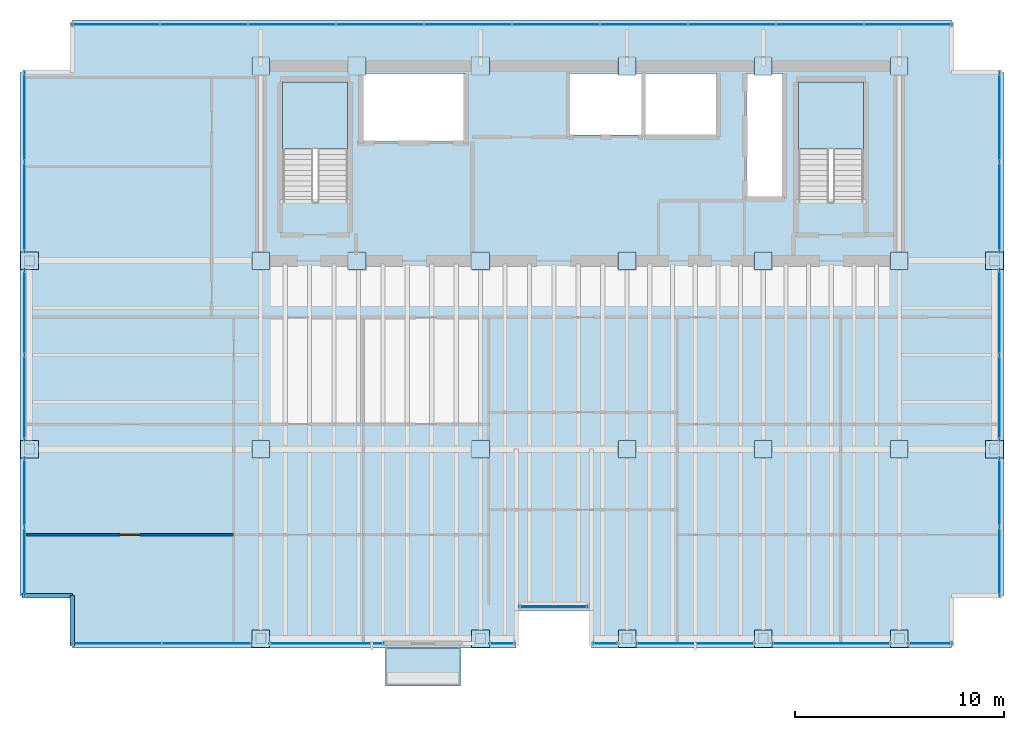
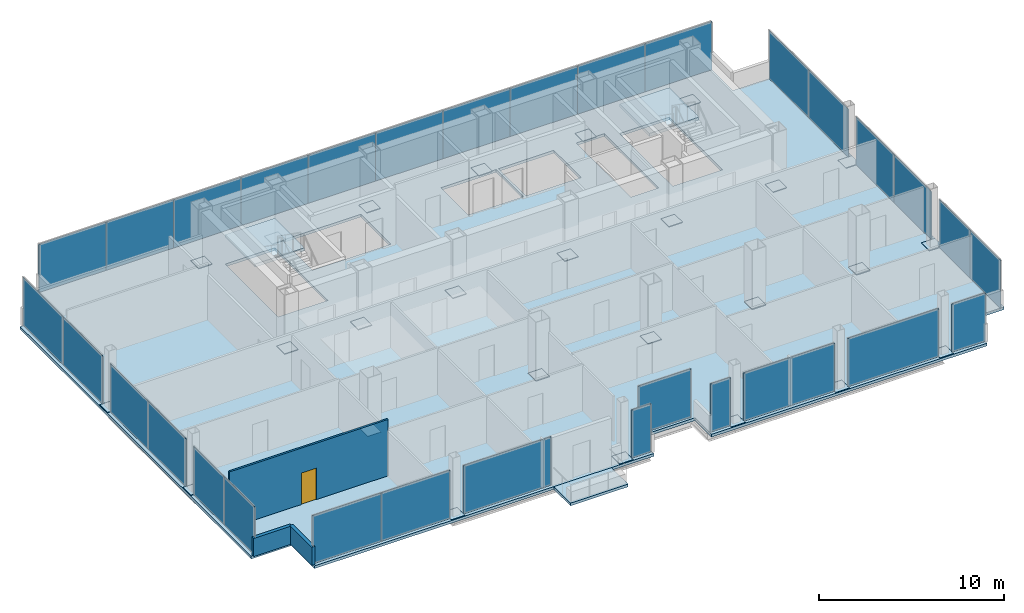
# One storey, part 18 of 22: 57 plates, 4 slabs, 3 walls, 1 door, 7 openings, 17 elements without a shape of their own.
"""IFC4 building model written with IfcOpenShell, lengths in metres."""

import ifcopenshell
import ifcopenshell.guid

model = None  # the IFC model being written
_history = None  # IfcOwnerHistory: only IFC2X3 demands one
_inside = {}  # id of a spatial element -> (the spatial element, [elements in it])
_under = {}  # id of a project, library or spatial element -> (it, [spatial elements below it])
_declared = {}  # id of a project -> (the project, [libraries it declares])
_typed = {}  # id of a type object -> (the type object, [elements of that type])
_made_of = {}  # id of a material, layer set ... -> (it, [elements and type objects made of it])


def new_model(schema):
    """Start an empty IFC model of exactly this schema.

    Asked for "IFC4X3", IfcOpenShell would pick the latest addendum, in which some entities
    have other attributes; the version numbers below select the first issue.
    IFC2X3 requires an IfcOwnerHistory on every rooted entity: one is made here for all.
    """
    global model, _history
    if schema == "IFC4X3":
        model = ifcopenshell.file(schema_version=(4, 3, 0, 0))
    else:
        model = ifcopenshell.file(schema=schema)
    _inside.clear()
    _under.clear()
    _declared.clear()
    _typed.clear()
    _made_of.clear()
    _history = None
    if model.schema == "IFC2X3":
        org = make("IfcOrganization", Name="unknown")
        user = make(
            "IfcPersonAndOrganization",
            ThePerson=make("IfcPerson", FamilyName="unknown"),
            TheOrganization=org,
        )
        app = make(
            "IfcApplication",
            ApplicationDeveloper=org,
            Version="unknown",
            ApplicationFullName="unknown",
            ApplicationIdentifier="unknown",
        )
        _history = make(
            "IfcOwnerHistory",
            OwningUser=user,
            OwningApplication=app,
            ChangeAction="ADDED",
            CreationDate=0,
        )
    return model


def make(cls, **values):
    """One entity of the class cls with the attributes given. An attribute that is None is left unset."""
    return model.create_entity(
        cls, **{name: value for name, value in values.items() if value is not None}
    )


def rooted(cls, **values):
    """An entity with a GlobalId (a new one), such as an element, a storey or a relation."""
    return make(cls, GlobalId=ifcopenshell.guid.new(), OwnerHistory=_history, **values)


def si_unit(unit_type, name, prefix=None):
    """IfcSIUnit, for example si_unit("LENGTHUNIT", "METRE", prefix="MILLI")."""
    return make("IfcSIUnit", UnitType=unit_type, Prefix=prefix, Name=name)


def assignment(units):
    """IfcUnitAssignment: the units of a project."""
    return None if units is None else make("IfcUnitAssignment", Units=units)


def point(xyz):
    """IfcCartesianPoint."""
    return None if xyz is None else make("IfcCartesianPoint", Coordinates=xyz)


def direction(xyz):
    """IfcDirection."""
    return None if xyz is None else make("IfcDirection", DirectionRatios=xyz)


def frame(location, z_axis=None, x_axis=None):
    """IfcAxis2Placement3D, a coordinate frame: its origin and axes. An axis left out is left unset."""
    return make(
        "IfcAxis2Placement3D",
        Location=point(location),
        Axis=direction(z_axis),
        RefDirection=direction(x_axis),
    )


def frame_2d(location, x_axis=None):
    """IfcAxis2Placement2D, a coordinate frame in the plane: its origin and x axis."""
    return make(
        "IfcAxis2Placement2D", Location=point(location), RefDirection=direction(x_axis)
    )


def origin():
    """The frame at (0, 0, 0) with its axes left unset."""
    return frame((0.0, 0.0, 0.0))


def origin_2d():
    """The frame at (0, 0) in the plane with its x axis left unset."""
    return frame_2d((0.0, 0.0))


def place(relative_to, where):
    """IfcLocalPlacement: puts the frame where relative to a parent placement (None: the world)."""
    return make(
        "IfcLocalPlacement", PlacementRelTo=relative_to, RelativePlacement=where
    )


def context(
    kind, dimensions, precision=None, world=None, true_north=None, identifier=None
):
    """IfcGeometricRepresentationContext, for example the 3D "Model" context."""
    return make(
        "IfcGeometricRepresentationContext",
        ContextIdentifier=identifier,
        ContextType=kind,
        CoordinateSpaceDimension=dimensions,
        Precision=precision,
        WorldCoordinateSystem=world,
        TrueNorth=true_north,
    )


def subcontext(parent, identifier, kind, view, scale=None):
    """IfcGeometricRepresentationSubContext, for example "Body" below "Model"."""
    return make(
        "IfcGeometricRepresentationSubContext",
        ContextIdentifier=identifier,
        ContextType=kind,
        ParentContext=parent,
        TargetScale=scale,
        TargetView=view,
    )


def project(units=None, contexts=None):
    """IfcProject with its units and contexts."""
    return rooted(
        "IfcProject",
        Name="project",
        RepresentationContexts=contexts,
        UnitsInContext=assignment(units),
    )


def spatial(cls, under=None, at=None, **own):
    """A site, building, storey or space (cls), placed at a placement, below another one or the project."""
    s = rooted(cls, ObjectPlacement=at, **own)
    if under is not None:
        _under.setdefault(under.id(), (under, []))[1].append(s)
    return s


def polyline(points):
    """IfcPolyline through the points."""
    return make("IfcPolyline", Points=[point(p) for p in points])


def profile(cls, at=None, kind="AREA", **sizes):
    """A parametric profile (cls). Its sizes go by their IFC names, for example OverallWidth=200.0."""
    return make(cls, ProfileType=kind, Position=at, **sizes)


def rectangle(**sizes):
    """IfcRectangleProfileDef."""
    return profile("IfcRectangleProfileDef", **sizes)


def outline(outer, holes=None, kind="AREA"):
    """IfcArbitraryClosedProfileDef: a profile drawn as a closed curve; with holes, ...WithVoids."""
    if holes is None:
        return make("IfcArbitraryClosedProfileDef", ProfileType=kind, OuterCurve=outer)
    return make(
        "IfcArbitraryProfileDefWithVoids",
        ProfileType=kind,
        OuterCurve=outer,
        InnerCurves=holes,
    )


def extrude(swept, where, along, depth):
    """IfcExtrudedAreaSolid: the profile swept, set in the frame where, extruded along a direction by depth."""
    return make(
        "IfcExtrudedAreaSolid",
        SweptArea=swept,
        Position=where,
        ExtrudedDirection=direction(along),
        Depth=depth,
    )


def shape(context_of_items, identifier, shape_type, items):
    """IfcShapeRepresentation: the items that make up one representation, for example the "Body"."""
    return make(
        "IfcShapeRepresentation",
        ContextOfItems=context_of_items,
        RepresentationIdentifier=identifier,
        RepresentationType=shape_type,
        Items=items,
    )


def material(Name=None, Category=None):
    """IfcMaterial."""
    return make("IfcMaterial", Name=Name, Category=Category)


def layer(
    of_material, thickness, ventilated=None, Name=None, Category=None, Priority=None
):
    """IfcMaterialLayer: one layer of a wall or slab, of a material (None: an air gap)."""
    return make(
        "IfcMaterialLayer",
        Material=of_material,
        LayerThickness=thickness,
        IsVentilated=ventilated,
        Name=Name,
        Category=Category,
        Priority=Priority,
    )


def layer_set(layers, Name=None):
    """IfcMaterialLayerSet."""
    return make("IfcMaterialLayerSet", MaterialLayers=layers, LayerSetName=Name)


def made_of(thing, what):
    """Note that an element or type object is made of a material, layer set ...; save() writes the relation."""
    if what is not None:
        _made_of.setdefault(what.id(), (what, []))[1].append(thing)
    return thing


def type_object(cls, material=None, **own):
    """A type object (cls), such as IfcWallType, which elements share."""
    return made_of(rooted(cls, **own), material)


def element(
    cls,
    number,
    at=None,
    inside=None,
    cuts=None,
    type_object=None,
    material=None,
    context=None,
    identifier="Body",
    shape_type=None,
    held_by="IfcProductDefinitionShape",
    body=None,
    shapes=None,
    **own,
):
    """One element of the class cls, such as IfcWall. Its Tag is "e" and its number.

    at: its placement. inside: the storey or other place that contains it. cuts: it is an
    opening in that element (IfcRelVoidsElement). A single representation is given by context,
    identifier, shape_type and body (its items); several are given by shapes. held_by: the class
    of the entity that holds the representations. save() writes the other relations.
    """
    e = rooted(cls, Tag="e%d" % number, ObjectPlacement=at, **own)
    if body is not None:
        shapes = [shape(context, identifier, shape_type, body)]
    if shapes is not None:
        e.Representation = make(held_by, Representations=shapes)
    if inside is not None:
        _inside.setdefault(inside.id(), (inside, []))[1].append(e)
    if cuts is not None:
        rooted(
            "IfcRelVoidsElement", RelatingBuildingElement=cuts, RelatedOpeningElement=e
        )
    if type_object is not None:
        _typed.setdefault(type_object.id(), (type_object, []))[1].append(e)
    return made_of(e, material)


def fill(opening, filler):
    """IfcRelFillsElement: the door or window that sits in an opening."""
    return rooted(
        "IfcRelFillsElement",
        RelatingOpeningElement=opening,
        RelatedBuildingElement=filler,
    )


def aggregate(whole, parts):
    """IfcRelAggregates: a whole, such as a stair, and the parts it consists of."""
    return rooted("IfcRelAggregates", RelatingObject=whole, RelatedObjects=parts)


def save(model, path):
    """Write the relations noted so far, then the file.

    IfcRelAggregates (storeys below a building ...), IfcRelContainedInSpatialStructure (elements
    in a storey), IfcRelDefinesByType, IfcRelAssociatesMaterial and IfcRelDeclares: one each for
    every whole, place, type object, material and project.
    """
    for whole, parts in _under.values():
        aggregate(whole, parts)
    for where, things in _inside.values():
        rooted(
            "IfcRelContainedInSpatialStructure",
            RelatedElements=things,
            RelatingStructure=where,
        )
    for kind, things in _typed.values():
        rooted("IfcRelDefinesByType", RelatedObjects=things, RelatingType=kind)
    for what, things in _made_of.values():
        rooted("IfcRelAssociatesMaterial", RelatedObjects=things, RelatingMaterial=what)
    for by, libraries in _declared.values():
        rooted("IfcRelDeclares", RelatingContext=by, RelatedDefinitions=libraries)
    model.write(path)


model = new_model("IFC4")

# Units and contexts
model_context = context("Model", 3, precision=1e-05, world=origin(), true_north=direction((0.0, 1.0)))
body_context = subcontext(model_context, "Body", "Model", "MODEL_VIEW")
ifc_project = project(units=[si_unit("LENGTHUNIT", "METRE"), si_unit("AREAUNIT", "SQUARE_METRE"), si_unit("VOLUMEUNIT", "CUBIC_METRE"), si_unit("PLANEANGLEUNIT", "RADIAN"), si_unit("MASSUNIT", "GRAM", prefix="KILO")], contexts=[model_context])

# Site, building, storey
site_placement = place(None, origin())
site = spatial("IfcSite", under=ifc_project, at=site_placement, CompositionType="ELEMENT")
building_placement = place(site_placement, origin())
building = spatial("IfcBuilding", under=site, at=building_placement, Name="Noeulbin Bourse Tower", CompositionType="ELEMENT")
storey_placement = place(building_placement, frame((0.0, 0.0, 134.39990234375)))
storey = spatial("IfcBuildingStorey", under=building, at=storey_placement, Name="L33", CompositionType="ELEMENT", Elevation=134.39990234375)

# Curtain wall, plate
ifc_material_1 = material(Name="Dark Tinted Triple Glazing", Category="glass")
curtain_wall_type = type_object("IfcCurtainWallType", Name="CW-SYS-3", PredefinedType="NOTDEFINED", material=ifc_material_1)
curtain_wall_1_placement = place(storey_placement, origin())
curtain_wall_1 = element("IfcCurtainWall", 1, at=curtain_wall_1_placement, inside=storey, type_object=curtain_wall_type, Name="Unitised Curtain Wall CW-L33-SREC", PredefinedType="NOTDEFINED")
ifc_layer_1 = layer(ifc_material_1, 0.035888671875)
ifc_layer_set_1 = layer_set([ifc_layer_1], Name="Dark Tinted Triple Glazing")
plate_type_1 = type_object("IfcPlateType", Name="CW-SYS-3-PNL", PredefinedType="CURTAIN_PANEL", material=ifc_layer_set_1)
plate_1_placement = place(storey_placement, frame((27.5, 12.47998046875, 0.0), z_axis=(0.0, 0.0, 1.0), x_axis=(1.0, 0.0, 0.0)))
plate_1 = element("IfcPlate", 2, at=plate_1_placement, type_object=plate_type_1, Name="Glazed Curtain Panel CW-L33-SREC-P00", PredefinedType="CURTAIN_PANEL", context=body_context, shape_type="SweptSolid", body=[
    extrude(rectangle(XDim=3.300048828125, YDim=0.035888671875, at=origin_2d()), origin(), (0.0, 0.0, 1.0), 3.179931640625),
])
aggregate(curtain_wall_1, [plate_1])

# Curtain wall, plates
curtain_wall_2_placement = place(storey_placement, origin())
curtain_wall_2 = element("IfcCurtainWall", 3, at=curtain_wall_2_placement, inside=storey, type_object=curtain_wall_type, Name="Unitised Curtain Wall CW-L33-S1-S1", PredefinedType="NOTDEFINED")
plate_2_placement = place(storey_placement, frame((6.632568359375, 10.719970703125, 0.0), z_axis=(0.0, 0.0, 1.0), x_axis=(1.0, 0.0, 0.0)))
plate_2 = element("IfcPlate", 4, at=plate_2_placement, type_object=plate_type_1, Name="Glazed Curtain Panel CW-L33-S1-S1-P00", PredefinedType="CURTAIN_PANEL", context=body_context, shape_type="SweptSolid", body=[
    extrude(rectangle(XDim=4.304931640625, YDim=0.035888671875, at=origin_2d()), origin(), (0.0, 0.0, 1.0), 3.179931640625),
])
plate_3_placement = place(storey_placement, frame((10.9375, 10.719970703125, 0.0), z_axis=(0.0, 0.0, 1.0), x_axis=(1.0, 0.0, 0.0)))
plate_3 = element("IfcPlate", 5, at=plate_3_placement, type_object=plate_type_1, Name="Glazed Curtain Panel CW-L33-S1-S1-P01", PredefinedType="CURTAIN_PANEL", context=body_context, shape_type="SweptSolid", body=[
    extrude(rectangle(XDim=4.304931640625, YDim=0.035888671875, at=origin_2d()), origin(), (0.0, 0.0, 1.0), 3.179931640625),
])
aggregate(curtain_wall_2, [plate_2, plate_3])

# Curtain wall, plate
curtain_wall_3_placement = place(storey_placement, origin())
curtain_wall_3 = element("IfcCurtainWall", 6, at=curtain_wall_3_placement, inside=storey, type_object=curtain_wall_type, Name="Unitised Curtain Wall CW-L33-S1-S2", PredefinedType="NOTDEFINED")
plate_4_placement = place(storey_placement, frame((16.655029296875, 10.719970703125, 0.0), z_axis=(0.0, 0.0, 1.0), x_axis=(1.0, 0.0, 0.0)))
plate_4 = element("IfcPlate", 7, at=plate_4_placement, type_object=plate_type_1, Name="Glazed Curtain Panel CW-L33-S1-S2-P00", PredefinedType="CURTAIN_PANEL", context=body_context, shape_type="SweptSolid", body=[
    extrude(rectangle(XDim=5.489990234375, YDim=0.035888671875, at=origin_2d()), origin(), (0.0, 0.0, 1.0), 3.179931640625),
])
aggregate(curtain_wall_3, [plate_4])

curtain_wall_4_placement = place(storey_placement, origin())
curtain_wall_4 = element("IfcCurtainWall", 8, at=curtain_wall_4_placement, inside=storey, type_object=curtain_wall_type, Name="Unitised Curtain Wall CW-L33-S2", PredefinedType="NOTDEFINED")
plate_5_placement = place(storey_placement, frame((25.030029296875, 10.719970703125, 0.0), z_axis=(0.0, 0.0, 1.0), x_axis=(1.0, 0.0, 0.0)))
plate_5 = element("IfcPlate", 9, at=plate_5_placement, type_object=plate_type_1, Name="Glazed Curtain Panel CW-L33-S2-P00", PredefinedType="CURTAIN_PANEL", context=body_context, shape_type="SweptSolid", body=[
    extrude(rectangle(XDim=1.239990234375, YDim=0.035888671875, at=origin_2d()), origin(), (0.0, 0.0, 1.0), 3.179931640625),
])
aggregate(curtain_wall_4, [plate_5])

curtain_wall_5_placement = place(storey_placement, origin())
curtain_wall_5 = element("IfcCurtainWall", 10, at=curtain_wall_5_placement, inside=storey, type_object=curtain_wall_type, Name="Unitised Curtain Wall CW-L33-S3-S1", PredefinedType="NOTDEFINED")
plate_6_placement = place(storey_placement, frame((29.969970703125, 10.719970703125, 0.0), z_axis=(0.0, 0.0, 1.0), x_axis=(1.0, 0.0, 0.0)))
plate_6 = element("IfcPlate", 11, at=plate_6_placement, type_object=plate_type_1, Name="Glazed Curtain Panel CW-L33-S3-S1-P00", PredefinedType="CURTAIN_PANEL", context=body_context, shape_type="SweptSolid", body=[
    extrude(rectangle(XDim=1.239990234375, YDim=0.035888671875, at=origin_2d()), origin(), (0.0, 0.0, 1.0), 3.179931640625),
])
aggregate(curtain_wall_5, [plate_6])

curtain_wall_6_placement = place(storey_placement, origin())
curtain_wall_6 = element("IfcCurtainWall", 12, at=curtain_wall_6_placement, inside=storey, type_object=curtain_wall_type, Name="Unitised Curtain Wall CW-L33-S3-S2", PredefinedType="NOTDEFINED")
plate_7_placement = place(storey_placement, frame((34.25, 10.719970703125, 0.0), z_axis=(0.0, 0.0, 1.0), x_axis=(1.0, 0.0, 0.0)))
plate_7 = element("IfcPlate", 13, at=plate_7_placement, type_object=plate_type_1, Name="Glazed Curtain Panel CW-L33-S3-S2-P00", PredefinedType="CURTAIN_PANEL", context=body_context, shape_type="SweptSolid", body=[
    extrude(rectangle(XDim=5.679931640625, YDim=0.035888671875, at=origin_2d()), origin(), (0.0, 0.0, 1.0), 3.179931640625),
])
aggregate(curtain_wall_6, [plate_7])

curtain_wall_7_placement = place(storey_placement, origin())
curtain_wall_7 = element("IfcCurtainWall", 14, at=curtain_wall_7_placement, inside=storey, type_object=curtain_wall_type, Name="Unitised Curtain Wall CW-L33-S3-S3", PredefinedType="NOTDEFINED")
plate_8_placement = place(storey_placement, frame((40.75, 10.719970703125, 0.0), z_axis=(0.0, 0.0, 1.0), x_axis=(1.0, 0.0, 0.0)))
plate_8 = element("IfcPlate", 15, at=plate_8_placement, type_object=plate_type_1, Name="Glazed Curtain Panel CW-L33-S3-S3-P00", PredefinedType="CURTAIN_PANEL", context=body_context, shape_type="SweptSolid", body=[
    extrude(rectangle(XDim=5.679931640625, YDim=0.035888671875, at=origin_2d()), origin(), (0.0, 0.0, 1.0), 3.179931640625),
])
aggregate(curtain_wall_7, [plate_8])

curtain_wall_8_placement = place(storey_placement, origin())
curtain_wall_8 = element("IfcCurtainWall", 16, at=curtain_wall_8_placement, inside=storey, type_object=curtain_wall_type, Name="Unitised Curtain Wall CW-L33-S3-S4", PredefinedType="NOTDEFINED")
plate_9_placement = place(storey_placement, frame((45.465087890625, 10.719970703125, 0.0), z_axis=(0.0, 0.0, 1.0), x_axis=(1.0, 0.0, 0.0)))
plate_9 = element("IfcPlate", 17, at=plate_9_placement, type_object=plate_type_1, Name="Glazed Curtain Panel CW-L33-S3-S4-P00", PredefinedType="CURTAIN_PANEL", context=body_context, shape_type="SweptSolid", body=[
    extrude(rectangle(XDim=2.110107421875, YDim=0.035888671875, at=origin_2d()), origin(), (0.0, 0.0, 1.0), 3.179931640625),
])
aggregate(curtain_wall_8, [plate_9])

# Curtain wall, plates
curtain_wall_9_placement = place(storey_placement, origin())
curtain_wall_9 = element("IfcCurtainWall", 18, at=curtain_wall_9_placement, inside=storey, type_object=curtain_wall_type, Name="Unitised Curtain Wall CW-L33-N", PredefinedType="NOTDEFINED")
plate_10_placement = place(storey_placement, frame((6.58203125, 40.280029296875, 0.0), z_axis=(0.0, 0.0, 1.0), x_axis=(1.0, 0.0, 0.0)))
plate_10 = element("IfcPlate", 19, at=plate_10_placement, type_object=plate_type_1, Name="Glazed Curtain Panel CW-L33-N-P00", PredefinedType="CURTAIN_PANEL", context=body_context, shape_type="SweptSolid", body=[
    extrude(rectangle(XDim=4.2041015625, YDim=0.035888671875, at=origin_2d()), origin(), (0.0, 0.0, 1.0), 3.179931640625),
])
plate_11_placement = place(storey_placement, frame((10.785888671875, 40.280029296875, 0.0), z_axis=(0.0, 0.0, 1.0), x_axis=(1.0, 0.0, 0.0)))
plate_11 = element("IfcPlate", 20, at=plate_11_placement, type_object=plate_type_1, Name="Glazed Curtain Panel CW-L33-N-P01", PredefinedType="CURTAIN_PANEL", context=body_context, shape_type="SweptSolid", body=[
    extrude(rectangle(XDim=4.2041015625, YDim=0.035888671875, at=origin_2d()), origin(), (0.0, 0.0, 1.0), 3.179931640625),
])
plate_12_placement = place(storey_placement, frame((14.989990234375, 40.280029296875, 0.0), z_axis=(0.0, 0.0, 1.0), x_axis=(1.0, 0.0, 0.0)))
plate_12 = element("IfcPlate", 21, at=plate_12_placement, type_object=plate_type_1, Name="Glazed Curtain Panel CW-L33-N-P02", PredefinedType="CURTAIN_PANEL", context=body_context, shape_type="SweptSolid", body=[
    extrude(rectangle(XDim=4.2041015625, YDim=0.035888671875, at=origin_2d()), origin(), (0.0, 0.0, 1.0), 3.179931640625),
])
plate_13_placement = place(storey_placement, frame((19.194091796875, 40.280029296875, 0.0), z_axis=(0.0, 0.0, 1.0), x_axis=(1.0, 0.0, 0.0)))
plate_13 = element("IfcPlate", 22, at=plate_13_placement, type_object=plate_type_1, Name="Glazed Curtain Panel CW-L33-N-P03", PredefinedType="CURTAIN_PANEL", context=body_context, shape_type="SweptSolid", body=[
    extrude(rectangle(XDim=4.2041015625, YDim=0.035888671875, at=origin_2d()), origin(), (0.0, 0.0, 1.0), 3.179931640625),
])
plate_14_placement = place(storey_placement, frame((23.39794921875, 40.280029296875, 0.0), z_axis=(0.0, 0.0, 1.0), x_axis=(1.0, 0.0, 0.0)))
plate_14 = element("IfcPlate", 23, at=plate_14_placement, type_object=plate_type_1, Name="Glazed Curtain Panel CW-L33-N-P04", PredefinedType="CURTAIN_PANEL", context=body_context, shape_type="SweptSolid", body=[
    extrude(rectangle(XDim=4.2041015625, YDim=0.035888671875, at=origin_2d()), origin(), (0.0, 0.0, 1.0), 3.179931640625),
])
plate_15_placement = place(storey_placement, frame((27.60205078125, 40.280029296875, 0.0), z_axis=(0.0, 0.0, 1.0), x_axis=(1.0, 0.0, 0.0)))
plate_15 = element("IfcPlate", 24, at=plate_15_placement, type_object=plate_type_1, Name="Glazed Curtain Panel CW-L33-N-P05", PredefinedType="CURTAIN_PANEL", context=body_context, shape_type="SweptSolid", body=[
    extrude(rectangle(XDim=4.2041015625, YDim=0.035888671875, at=origin_2d()), origin(), (0.0, 0.0, 1.0), 3.179931640625),
])
plate_16_placement = place(storey_placement, frame((31.805908203125, 40.280029296875, 0.0), z_axis=(0.0, 0.0, 1.0), x_axis=(1.0, 0.0, 0.0)))
plate_16 = element("IfcPlate", 25, at=plate_16_placement, type_object=plate_type_1, Name="Glazed Curtain Panel CW-L33-N-P06", PredefinedType="CURTAIN_PANEL", context=body_context, shape_type="SweptSolid", body=[
    extrude(rectangle(XDim=4.2041015625, YDim=0.035888671875, at=origin_2d()), origin(), (0.0, 0.0, 1.0), 3.179931640625),
])
plate_17_placement = place(storey_placement, frame((36.010009765625, 40.280029296875, 0.0), z_axis=(0.0, 0.0, 1.0), x_axis=(1.0, 0.0, 0.0)))
plate_17 = element("IfcPlate", 26, at=plate_17_placement, type_object=plate_type_1, Name="Glazed Curtain Panel CW-L33-N-P07", PredefinedType="CURTAIN_PANEL", context=body_context, shape_type="SweptSolid", body=[
    extrude(rectangle(XDim=4.2041015625, YDim=0.035888671875, at=origin_2d()), origin(), (0.0, 0.0, 1.0), 3.179931640625),
])
plate_18_placement = place(storey_placement, frame((40.214111328125, 40.280029296875, 0.0), z_axis=(0.0, 0.0, 1.0), x_axis=(1.0, 0.0, 0.0)))
plate_18 = element("IfcPlate", 27, at=plate_18_placement, type_object=plate_type_1, Name="Glazed Curtain Panel CW-L33-N-P08", PredefinedType="CURTAIN_PANEL", context=body_context, shape_type="SweptSolid", body=[
    extrude(rectangle(XDim=4.2041015625, YDim=0.035888671875, at=origin_2d()), origin(), (0.0, 0.0, 1.0), 3.179931640625),
])
plate_19_placement = place(storey_placement, frame((44.41796875, 40.280029296875, 0.0), z_axis=(0.0, 0.0, 1.0), x_axis=(1.0, 0.0, 0.0)))
plate_19 = element("IfcPlate", 28, at=plate_19_placement, type_object=plate_type_1, Name="Glazed Curtain Panel CW-L33-N-P09", PredefinedType="CURTAIN_PANEL", context=body_context, shape_type="SweptSolid", body=[
    extrude(rectangle(XDim=4.2041015625, YDim=0.035888671875, at=origin_2d()), origin(), (0.0, 0.0, 1.0), 3.179931640625),
])
aggregate(curtain_wall_9, [plate_10, plate_11, plate_12, plate_13, plate_14, plate_15, plate_16, plate_17, plate_18, plate_19])

curtain_wall_10_placement = place(storey_placement, origin())
curtain_wall_10 = element("IfcCurtainWall", 29, at=curtain_wall_10_placement, inside=storey, type_object=curtain_wall_type, Name="Unitised Curtain Wall CW-L33-W-S1", PredefinedType="NOTDEFINED")
plate_20_placement = place(storey_placement, frame((2.219970703125, 14.632568359375, 0.0), z_axis=(0.0, 0.0, 1.0), x_axis=(0.0, 1.0, 0.0)))
plate_20 = element("IfcPlate", 30, at=plate_20_placement, type_object=plate_type_1, Name="Glazed Curtain Panel CW-L33-W-S1-P00", PredefinedType="CURTAIN_PANEL", context=body_context, shape_type="SweptSolid", body=[
    extrude(rectangle(XDim=3.304931640625, YDim=0.035888671875, at=origin_2d()), origin(), (0.0, 0.0, 1.0), 3.179931640625),
])
plate_21_placement = place(storey_placement, frame((2.219970703125, 17.9375, 0.0), z_axis=(0.0, 0.0, 1.0), x_axis=(0.0, 1.0, 0.0)))
plate_21 = element("IfcPlate", 31, at=plate_21_placement, type_object=plate_type_1, Name="Glazed Curtain Panel CW-L33-W-S1-P01", PredefinedType="CURTAIN_PANEL", context=body_context, shape_type="SweptSolid", body=[
    extrude(rectangle(XDim=3.304931640625, YDim=0.035888671875, at=origin_2d()), origin(), (0.0, 0.0, 1.0), 3.179931640625),
])
aggregate(curtain_wall_10, [plate_20, plate_21])

curtain_wall_11_placement = place(storey_placement, origin())
curtain_wall_11 = element("IfcCurtainWall", 32, at=curtain_wall_11_placement, inside=storey, type_object=curtain_wall_type, Name="Unitised Curtain Wall CW-L33-W-S2", PredefinedType="NOTDEFINED")
plate_22_placement = place(storey_placement, frame((2.219970703125, 22.455078125, 0.0), z_axis=(0.0, 0.0, 1.0), x_axis=(0.0, 1.0, 0.0)))
plate_22 = element("IfcPlate", 33, at=plate_22_placement, type_object=plate_type_1, Name="Glazed Curtain Panel CW-L33-W-S2-P00", PredefinedType="CURTAIN_PANEL", context=body_context, shape_type="SweptSolid", body=[
    extrude(rectangle(XDim=4.090087890625, YDim=0.035888671875, at=origin_2d()), origin(), (0.0, 0.0, 1.0), 3.179931640625),
])
plate_23_placement = place(storey_placement, frame((2.219970703125, 26.544921875, 0.0), z_axis=(0.0, 0.0, 1.0), x_axis=(0.0, 1.0, 0.0)))
plate_23 = element("IfcPlate", 34, at=plate_23_placement, type_object=plate_type_1, Name="Glazed Curtain Panel CW-L33-W-S2-P01", PredefinedType="CURTAIN_PANEL", context=body_context, shape_type="SweptSolid", body=[
    extrude(rectangle(XDim=4.090087890625, YDim=0.035888671875, at=origin_2d()), origin(), (0.0, 0.0, 1.0), 3.179931640625),
])
aggregate(curtain_wall_11, [plate_22, plate_23])

curtain_wall_12_placement = place(storey_placement, origin())
curtain_wall_12 = element("IfcCurtainWall", 35, at=curtain_wall_12_placement, inside=storey, type_object=curtain_wall_type, Name="Unitised Curtain Wall CW-L33-W-S3", PredefinedType="NOTDEFINED")
plate_24_placement = place(storey_placement, frame((2.219970703125, 31.5625, 0.0), z_axis=(0.0, 0.0, 1.0), x_axis=(0.0, 1.0, 0.0)))
plate_24 = element("IfcPlate", 36, at=plate_24_placement, type_object=plate_type_1, Name="Glazed Curtain Panel CW-L33-W-S3-P00", PredefinedType="CURTAIN_PANEL", context=body_context, shape_type="SweptSolid", body=[
    extrude(rectangle(XDim=4.304931640625, YDim=0.035888671875, at=origin_2d()), origin(), (0.0, 0.0, 1.0), 3.179931640625),
])
plate_25_placement = place(storey_placement, frame((2.219970703125, 35.867431640625, 0.0), z_axis=(0.0, 0.0, 1.0), x_axis=(0.0, 1.0, 0.0)))
plate_25 = element("IfcPlate", 37, at=plate_25_placement, type_object=plate_type_1, Name="Glazed Curtain Panel CW-L33-W-S3-P01", PredefinedType="CURTAIN_PANEL", context=body_context, shape_type="SweptSolid", body=[
    extrude(rectangle(XDim=4.304931640625, YDim=0.035888671875, at=origin_2d()), origin(), (0.0, 0.0, 1.0), 3.179931640625),
])
aggregate(curtain_wall_12, [plate_24, plate_25])

curtain_wall_13_placement = place(storey_placement, origin())
curtain_wall_13 = element("IfcCurtainWall", 38, at=curtain_wall_13_placement, inside=storey, type_object=curtain_wall_type, Name="Unitised Curtain Wall CW-L33-E-S1", PredefinedType="NOTDEFINED")
plate_26_placement = place(storey_placement, frame((48.780029296875, 14.632568359375, 0.0), z_axis=(0.0, 0.0, 1.0), x_axis=(0.0, 1.0, 0.0)))
plate_26 = element("IfcPlate", 39, at=plate_26_placement, type_object=plate_type_1, Name="Glazed Curtain Panel CW-L33-E-S1-P00", PredefinedType="CURTAIN_PANEL", context=body_context, shape_type="SweptSolid", body=[
    extrude(rectangle(XDim=3.304931640625, YDim=0.035888671875, at=origin_2d()), origin(), (0.0, 0.0, 1.0), 3.179931640625),
])
plate_27_placement = place(storey_placement, frame((48.780029296875, 17.9375, 0.0), z_axis=(0.0, 0.0, 1.0), x_axis=(0.0, 1.0, 0.0)))
plate_27 = element("IfcPlate", 40, at=plate_27_placement, type_object=plate_type_1, Name="Glazed Curtain Panel CW-L33-E-S1-P01", PredefinedType="CURTAIN_PANEL", context=body_context, shape_type="SweptSolid", body=[
    extrude(rectangle(XDim=3.304931640625, YDim=0.035888671875, at=origin_2d()), origin(), (0.0, 0.0, 1.0), 3.179931640625),
])
aggregate(curtain_wall_13, [plate_26, plate_27])

curtain_wall_14_placement = place(storey_placement, origin())
curtain_wall_14 = element("IfcCurtainWall", 41, at=curtain_wall_14_placement, inside=storey, type_object=curtain_wall_type, Name="Unitised Curtain Wall CW-L33-E-S2", PredefinedType="NOTDEFINED")
plate_28_placement = place(storey_placement, frame((48.780029296875, 22.455078125, 0.0), z_axis=(0.0, 0.0, 1.0), x_axis=(0.0, 1.0, 0.0)))
plate_28 = element("IfcPlate", 42, at=plate_28_placement, type_object=plate_type_1, Name="Glazed Curtain Panel CW-L33-E-S2-P00", PredefinedType="CURTAIN_PANEL", context=body_context, shape_type="SweptSolid", body=[
    extrude(rectangle(XDim=4.090087890625, YDim=0.035888671875, at=origin_2d()), origin(), (0.0, 0.0, 1.0), 3.179931640625),
])
plate_29_placement = place(storey_placement, frame((48.780029296875, 26.544921875, 0.0), z_axis=(0.0, 0.0, 1.0), x_axis=(0.0, 1.0, 0.0)))
plate_29 = element("IfcPlate", 43, at=plate_29_placement, type_object=plate_type_1, Name="Glazed Curtain Panel CW-L33-E-S2-P01", PredefinedType="CURTAIN_PANEL", context=body_context, shape_type="SweptSolid", body=[
    extrude(rectangle(XDim=4.090087890625, YDim=0.035888671875, at=origin_2d()), origin(), (0.0, 0.0, 1.0), 3.179931640625),
])
aggregate(curtain_wall_14, [plate_28, plate_29])

curtain_wall_15_placement = place(storey_placement, origin())
curtain_wall_15 = element("IfcCurtainWall", 44, at=curtain_wall_15_placement, inside=storey, type_object=curtain_wall_type, Name="Unitised Curtain Wall CW-L33-E-S3", PredefinedType="NOTDEFINED")
plate_30_placement = place(storey_placement, frame((48.780029296875, 31.5625, 0.0), z_axis=(0.0, 0.0, 1.0), x_axis=(0.0, 1.0, 0.0)))
plate_30 = element("IfcPlate", 45, at=plate_30_placement, type_object=plate_type_1, Name="Glazed Curtain Panel CW-L33-E-S3-P00", PredefinedType="CURTAIN_PANEL", context=body_context, shape_type="SweptSolid", body=[
    extrude(rectangle(XDim=4.304931640625, YDim=0.035888671875, at=origin_2d()), origin(), (0.0, 0.0, 1.0), 3.179931640625),
])
plate_31_placement = place(storey_placement, frame((48.780029296875, 35.867431640625, 0.0), z_axis=(0.0, 0.0, 1.0), x_axis=(0.0, 1.0, 0.0)))
plate_31 = element("IfcPlate", 46, at=plate_31_placement, type_object=plate_type_1, Name="Glazed Curtain Panel CW-L33-E-S3-P01", PredefinedType="CURTAIN_PANEL", context=body_context, shape_type="SweptSolid", body=[
    extrude(rectangle(XDim=4.304931640625, YDim=0.035888671875, at=origin_2d()), origin(), (0.0, 0.0, 1.0), 3.179931640625),
])
aggregate(curtain_wall_15, [plate_30, plate_31])

# Plates
ifc_material_2 = material(Name="Steel S355", Category="steel")
ifc_layer_2 = layer(ifc_material_2, 0.030029296875)
ifc_layer_set_2 = layer_set([ifc_layer_2], Name="Steel S355")
plate_type_2 = type_object("IfcPlateType", Name="PLT-BN1", PredefinedType="USERDEFINED", material=ifc_layer_set_2)
for number, where, z_axis, x_axis, name in (
    (47, (13.5, 29.0, 0.0048828125), (0.0, 0.0, 1.0), (1.0, 0.0, 0.0), "Mega-Column Splice Plate BN1-L33-01"),
    (48, (13.5, 38.300048828125, 0.0048828125), (0.0, 0.0, 1.0), (1.0, 0.0, 0.0), "Mega-Column Splice Plate BN1-L33-02"),
    (49, (18.10009765625, 29.0, 0.0048828125), (0.0, 0.0, 1.0), (1.0, 0.0, 0.0), "Mega-Column Splice Plate BN1-L33-03"),
    (50, (18.10009765625, 38.300048828125, 0.0048828125), (0.0, 0.0, 1.0), (1.0, 0.0, 0.0), "Mega-Column Splice Plate BN1-L33-04"),
    (51, (24.0, 29.0, 0.0048828125), (0.0, 0.0, 1.0), (1.0, 0.0, 0.0), "Mega-Column Splice Plate BN1-L33-05"),
    (52, (24.0, 38.300048828125, 0.0048828125), (0.0, 0.0, 1.0), (1.0, 0.0, 0.0), "Mega-Column Splice Plate BN1-L33-06"),
    (53, (31.0, 29.0, 0.0048828125), (0.0, 0.0, 1.0), (1.0, 0.0, 0.0), "Mega-Column Splice Plate BN1-L33-07"),
    (54, (31.0, 38.300048828125, 0.0048828125), (0.0, 0.0, 1.0), (1.0, 0.0, 0.0), "Mega-Column Splice Plate BN1-L33-08"),
    (55, (37.5, 29.0, 0.0048828125), (0.0, 0.0, 1.0), (1.0, 0.0, 0.0), "Mega-Column Splice Plate BN1-L33-09"),
    (56, (37.5, 38.300048828125, 0.0048828125), (0.0, 0.0, 1.0), (1.0, 0.0, 0.0), "Mega-Column Splice Plate BN1-L33-10"),
    (57, (44.0, 29.0, 0.0048828125), (0.0, 0.0, 1.0), (1.0, 0.0, 0.0), "Mega-Column Splice Plate BN1-L33-11"),
    (58, (44.0, 38.300048828125, 0.0048828125), (0.0, 0.0, 1.0), (1.0, 0.0, 0.0), "Mega-Column Splice Plate BN1-L33-12"),
    (59, (13.5, 20.0, 0.0048828125), (0.0, 0.0, 1.0), (1.0, 0.0, 0.0), "Mega-Column Splice Plate BN1-L33-13"),
    (60, (24.0, 20.0, 0.0048828125), (0.0, 0.0, 1.0), (1.0, 0.0, 0.0), "Mega-Column Splice Plate BN1-L33-14"),
    (61, (31.0, 20.0, 0.0048828125), (0.0, 0.0, 1.0), (1.0, 0.0, 0.0), "Mega-Column Splice Plate BN1-L33-15"),
    (62, (37.5, 20.0, 0.0048828125), (0.0, 0.0, 1.0), (1.0, 0.0, 0.0), "Mega-Column Splice Plate BN1-L33-16"),
    (63, (44.0, 20.0, 0.0048828125), (0.0, 0.0, 1.0), (1.0, 0.0, 0.0), "Mega-Column Splice Plate BN1-L33-17"),
    (64, (2.449951171875, 20.0, 0.0048828125), (0.0, 0.0, 1.0), (1.0, 0.0, 0.0), "Perimeter Column Splice Plate BN1-L33-01"),
    (65, (2.449951171875, 29.0, 0.0048828125), (0.0, 0.0, 1.0), (1.0, 0.0, 0.0), "Perimeter Column Splice Plate BN1-L33-02"),
    (66, (13.5, 10.949951171875, 0.0048828125), (0.0, 0.0, 1.0), (1.0, 0.0, 0.0), "Perimeter Column Splice Plate BN1-L33-03"),
    (67, (24.0, 10.949951171875, 0.0048828125), (0.0, 0.0, 1.0), (1.0, 0.0, 0.0), "Perimeter Column Splice Plate BN1-L33-04"),
    (68, (31.0, 10.949951171875, 0.0048828125), (0.0, 0.0, 1.0), (1.0, 0.0, 0.0), "Perimeter Column Splice Plate BN1-L33-05"),
    (69, (37.5, 10.949951171875, 0.0048828125), (0.0, 0.0, 1.0), (1.0, 0.0, 0.0), "Perimeter Column Splice Plate BN1-L33-06"),
    (70, (44.0, 10.949951171875, 0.0048828125), (0.0, 0.0, 1.0), (1.0, 0.0, 0.0), "Perimeter Column Splice Plate BN1-L33-07"),
    (71, (48.550048828125, 20.0, 0.0048828125), (0.0, 0.0, 1.0), (1.0, 0.0, 0.0), "Perimeter Column Splice Plate BN1-L33-08"),
    (72, (48.550048828125, 29.0, 0.0048828125), (0.0, 0.0, 1.0), (1.0, 0.0, 0.0), "Perimeter Column Splice Plate BN1-L33-09"),
):
    element("IfcPlate", number, at=place(storey_placement, frame(where, z_axis=z_axis, x_axis=x_axis)), inside=storey, type_object=plate_type_2, Name=name, ObjectType="SPLICE PLATE", PredefinedType="USERDEFINED", context=body_context, shape_type="SweptSolid", body=[
        extrude(rectangle(XDim=0.85009765625, YDim=0.85009765625, at=origin_2d()), origin(), (0.0, 0.0, 1.0), 0.030029296875),
    ])

# Stair, slab
ifc_material_3 = material(Name="Concrete C40/50", Category="concrete")
stair_type = type_object("IfcStairType", Name="STR-CORE-1560", PredefinedType="HALF_TURN_STAIR", material=ifc_material_3)
stair_1_placement = place(storey_placement, origin())
stair_1 = element("IfcStair", 73, at=stair_1_placement, inside=storey, type_object=stair_type, Name="L33 ST-1", PredefinedType="HALF_TURN_STAIR")
ifc_layer_3 = layer(ifc_material_3, 0.199951171875)
ifc_layer_set_3 = layer_set([ifc_layer_3], Name="Concrete C40/50")
slab_type_1 = type_object("IfcSlabType", Name="SLB-LND-200", PredefinedType="LANDING", material=ifc_layer_set_3)
slab_1_placement = place(storey_placement, frame((0.0, 0.0, 1.75)))
slab_1 = element("IfcSlab", 74, at=slab_1_placement, type_object=slab_type_1, Name="ST-1 landing 1", PredefinedType="LANDING", context=body_context, shape_type="SweptSolid", body=[
    extrude(outline(polyline([(17.64990234375, 34.330078125), (17.64990234375, 37.5439453125), (14.550048828125, 37.5439453125), (14.550048828125, 34.330078125), (17.64990234375, 34.330078125)])), origin(), (0.0, 0.0, 1.0), 0.2001953125),
])
aggregate(stair_1, [slab_1])

stair_2_placement = place(storey_placement, origin())
stair_2 = element("IfcStair", 75, at=stair_2_placement, inside=storey, type_object=stair_type, Name="L33 ST-2", PredefinedType="HALF_TURN_STAIR")
slab_2_placement = place(storey_placement, frame((0.0, 0.0, 1.75)))
slab_2 = element("IfcSlab", 76, at=slab_2_placement, type_object=slab_type_1, Name="ST-2 landing 1", PredefinedType="LANDING", context=body_context, shape_type="SweptSolid", body=[
    extrude(outline(polyline([(42.280029296875, 34.330078125), (42.280029296875, 37.5439453125), (39.179931640625, 37.5439453125), (39.179931640625, 34.330078125), (42.280029296875, 34.330078125)])), origin(), (0.0, 0.0, 1.0), 0.2001953125),
])
aggregate(stair_2, [slab_2])

# Slab, openings
ifc_layer_4 = layer(ifc_material_3, 0.179931640625)
ifc_layer_set_4 = layer_set([ifc_layer_4], Name="Concrete C40/50")
slab_type_2 = type_object("IfcSlabType", Name="SLB-TYP-180", PredefinedType="FLOOR", material=ifc_layer_set_4)
slab_3_placement = place(storey_placement, frame((0.0, 0.0, -0.179931640625)))
slab_3 = element("IfcSlab", 77, at=slab_3_placement, inside=storey, type_object=slab_type_2, Name="Tower Structural Floor Slab L33", PredefinedType="FLOOR", context=body_context, shape_type="SweptSolid", body=[
    extrude(outline(polyline([(4.5, 10.5), (25.699951171875, 10.5), (25.699951171875, 12.300048828125), (29.300048828125, 12.300048828125), (29.300048828125, 10.5), (46.5, 10.5), (46.5, 13.0), (49.0, 13.0), (49.0, 38.0), (46.5, 38.0), (46.5, 40.5), (4.5, 40.5), (4.5, 38.0), (2.0, 38.0), (2.0, 13.0), (4.5, 13.0), (4.5, 10.5)]), holes=[polyline([(17.64990234375, 31.81005859375), (17.64990234375, 37.5439453125), (14.550048828125, 37.5439453125), (14.550048828125, 31.81005859375), (17.64990234375, 31.81005859375)]), polyline([(42.280029296875, 31.81005859375), (42.280029296875, 37.5439453125), (39.179931640625, 37.5439453125), (39.179931640625, 31.81005859375), (42.280029296875, 31.81005859375)]), polyline([(18.35009765625, 34.699951171875), (23.25, 34.699951171875), (23.25, 37.949951171875), (18.35009765625, 37.949951171875), (18.35009765625, 34.699951171875)]), polyline([(36.699951171875, 32.050048828125), (38.449951171875, 32.050048828125), (38.449951171875, 37.949951171875), (36.699951171875, 37.949951171875), (36.699951171875, 32.050048828125)]), polyline([(28.25, 35.0), (31.699951171875, 35.0), (31.699951171875, 37.949951171875), (28.25, 37.949951171875), (28.25, 35.0)]), polyline([(31.85009765625, 35.0), (35.300048828125, 35.0), (35.300048828125, 37.949951171875), (31.85009765625, 37.949951171875), (31.85009765625, 35.0)])]), origin(), (0.0, 0.0, 1.0), 0.179931640625),
])
opening_1_placement = place(slab_3_placement, frame((0.0, 0.0, -0.010009765625)))
element("IfcOpeningElement", 78, at=opening_1_placement, cuts=slab_3, Name="Slab Shaft Opening SLB-L33-TWR-1", PredefinedType="OPENING", context=body_context, shape_type="SweptSolid", body=[
    extrude(outline(polyline([(17.64990234375, 31.81005859375), (17.64990234375, 37.5439453125), (14.550048828125, 37.5439453125), (14.550048828125, 31.81005859375), (17.64990234375, 31.81005859375)])), origin(), (0.0, 0.0, 1.0), 0.199951171875),
])
opening_2_placement = place(slab_3_placement, frame((0.0, 0.0, -0.010009765625)))
element("IfcOpeningElement", 79, at=opening_2_placement, cuts=slab_3, Name="Slab Shaft Opening SLB-L33-TWR-2", PredefinedType="OPENING", context=body_context, shape_type="SweptSolid", body=[
    extrude(outline(polyline([(42.280029296875, 31.81005859375), (42.280029296875, 37.5439453125), (39.179931640625, 37.5439453125), (39.179931640625, 31.81005859375), (42.280029296875, 31.81005859375)])), origin(), (0.0, 0.0, 1.0), 0.199951171875),
])
opening_3_placement = place(slab_3_placement, frame((0.0, 0.0, -0.010009765625)))
element("IfcOpeningElement", 80, at=opening_3_placement, cuts=slab_3, Name="Slab Shaft Opening SLB-L33-TWR-3", PredefinedType="OPENING", context=body_context, shape_type="SweptSolid", body=[
    extrude(outline(polyline([(18.35009765625, 34.699951171875), (23.25, 34.699951171875), (23.25, 37.949951171875), (18.35009765625, 37.949951171875), (18.35009765625, 34.699951171875)])), origin(), (0.0, 0.0, 1.0), 0.199951171875),
])
opening_4_placement = place(slab_3_placement, frame((0.0, 0.0, -0.010009765625)))
element("IfcOpeningElement", 81, at=opening_4_placement, cuts=slab_3, Name="Slab Shaft Opening SLB-L33-TWR-4", PredefinedType="OPENING", context=body_context, shape_type="SweptSolid", body=[
    extrude(outline(polyline([(36.699951171875, 32.050048828125), (38.449951171875, 32.050048828125), (38.449951171875, 37.949951171875), (36.699951171875, 37.949951171875), (36.699951171875, 32.050048828125)])), origin(), (0.0, 0.0, 1.0), 0.199951171875),
])
opening_5_placement = place(slab_3_placement, frame((0.0, 0.0, -0.010009765625)))
element("IfcOpeningElement", 82, at=opening_5_placement, cuts=slab_3, Name="Slab Shaft Opening SLB-L33-TWR-5", PredefinedType="OPENING", context=body_context, shape_type="SweptSolid", body=[
    extrude(outline(polyline([(28.25, 35.0), (31.699951171875, 35.0), (31.699951171875, 37.949951171875), (28.25, 37.949951171875), (28.25, 35.0)])), origin(), (0.0, 0.0, 1.0), 0.199951171875),
])
opening_6_placement = place(slab_3_placement, frame((0.0, 0.0, -0.010009765625)))
element("IfcOpeningElement", 83, at=opening_6_placement, cuts=slab_3, Name="Slab Shaft Opening SLB-L33-TWR-6", PredefinedType="OPENING", context=body_context, shape_type="SweptSolid", body=[
    extrude(outline(polyline([(31.85009765625, 35.0), (35.300048828125, 35.0), (35.300048828125, 37.949951171875), (31.85009765625, 37.949951171875), (31.85009765625, 35.0)])), origin(), (0.0, 0.0, 1.0), 0.199951171875),
])

# Slab
slab_4_placement = place(storey_placement, frame((0.0, 0.0, -0.179931640625)))
element("IfcSlab", 84, at=slab_4_placement, inside=storey, type_object=slab_type_2, Name="Cantilevered Tree-Balcony Slab L33", PredefinedType="FLOOR", context=body_context, shape_type="SweptSolid", body=[
    extrude(outline(polyline([(19.449951171875, 8.699951171875), (23.050048828125, 8.699951171875), (23.050048828125, 10.5), (19.449951171875, 10.5), (19.449951171875, 8.699951171875)])), origin(), (0.0, 0.0, 1.0), 0.179931640625),
])

# Walls
ifc_layer_5 = layer(ifc_material_3, 0.199951171875)
ifc_layer_set_5 = layer_set([ifc_layer_5], Name="Concrete C40/50")
wall_type_1 = type_object("IfcWallType", Name="WAL-PAR-200", PredefinedType="PARAPET", material=ifc_layer_set_5)
for number, where, z_axis, x_axis, name in (
    (85, (2.10009765625, 13.0, 0.0), (0.0, 0.0, 1.0), (1.0, 0.0, 0.0), "Corner Notch Parapet L33-SW1"),
    (86, (4.5, 13.0, 0.0), (0.0, 0.0, 1.0), (0.0, -1.0, 0.0), "Corner Notch Parapet L33-SW2"),
):
    element("IfcWall", number, at=place(storey_placement, frame(where, z_axis=z_axis, x_axis=x_axis)), inside=storey, type_object=wall_type_1, Name=name, PredefinedType="PARAPET", context=body_context, shape_type="SweptSolid", body=[
        extrude(rectangle(XDim=2.39990234375, YDim=0.199951171875, at=frame_2d((1.199951171875, 0.0))), origin(), (0.0, 0.0, 1.0), 1.2001953125),
    ])

# Wall, opening, door
ifc_material_4 = material(Name="Steel Stud Gypsum Partition", Category="steel")
ifc_layer_6 = layer(ifc_material_4, 0.1201171875)
ifc_layer_set_6 = layer_set([ifc_layer_6], Name="Steel Stud Gypsum Partition")
wall_type_2 = type_object("IfcWallType", Name="WAL-PRT-120", PredefinedType="PARTITIONING", material=ifc_layer_set_6)
wall_placement = place(storey_placement, frame((2.31005859375, 15.922119140625, 0.0), z_axis=(0.0, 0.0, 1.0), x_axis=(1.0, 0.0, 0.0)))
wall = element("IfcWall", 87, at=wall_placement, inside=storey, type_object=wall_type_2, Name="Interior Partition Wall L33-07", PredefinedType="PARTITIONING", context=body_context, shape_type="SweptSolid", body=[
    extrude(rectangle(XDim=9.889892578125, YDim=0.1201171875, at=frame_2d((4.94482421875, 0.0))), origin(), (0.0, 0.0, 1.0), 3.72021484375),
])
opening_7_placement = place(wall_placement, frame((4.469970703125, 0.0, 0.0)))
opening_7 = element("IfcOpeningElement", 88, at=opening_7_placement, cuts=wall, Name="Opening ID-09", PredefinedType="OPENING", context=body_context, shape_type="SweptSolid", body=[
    extrude(rectangle(XDim=0.949951171875, YDim=2.080078125, at=frame_2d((0.47509765625, 1.0400390625))), frame((0.0, 0.070068359375, 0.0), z_axis=(0.0, -1.0, 0.0), x_axis=(1.0, 0.0, 0.0)), (0.0, 0.0, 1.0), 0.14013671875),
])
ifc_material_5 = material(Name="Acoustic Solid-Core Timber", Category="wood")
door_type = type_object("IfcDoorType", Name="DR-SINGLE-950", OperationType="SINGLE_SWING_LEFT", PredefinedType="DOOR", material=ifc_material_5)
door_placement = place(opening_7_placement, origin())
door = element("IfcDoor", 89, at=door_placement, inside=storey, type_object=door_type, Name="Interior Door L33-09", OperationType="SINGLE_SWING_LEFT", OverallHeight=2.080078125, OverallWidth=0.949951171875, PredefinedType="DOOR", context=body_context, shape_type="SweptSolid", body=[
    extrude(rectangle(XDim=0.949951171875, YDim=2.080078125, at=frame_2d((0.47509765625, 1.0400390625))), frame((0.0, 0.02490234375, 0.0), z_axis=(0.0, -1.0, 0.0), x_axis=(1.0, 0.0, 0.0)), (0.0, 0.0, 1.0), 0.050048828125),
])
fill(opening_7, door)

save(model, "model.ifc")
